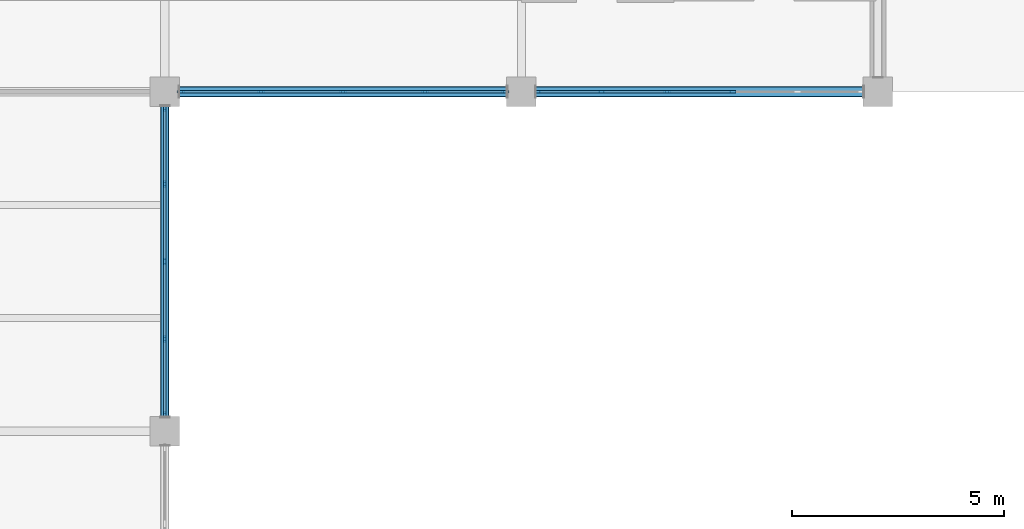
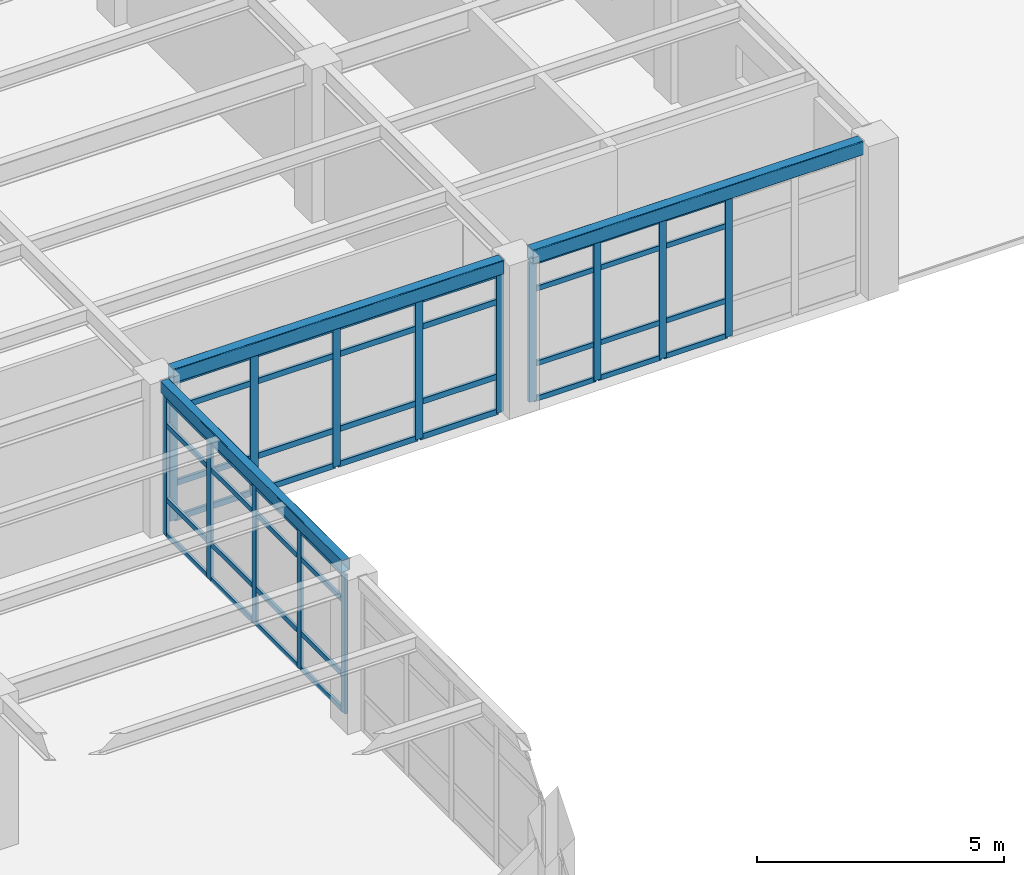
# One storey, part 40 of 138: 58 members, 3 beams, 3 elements without a shape of their own.
"""IFC4 building model written with IfcOpenShell, lengths in metres."""

import ifcopenshell
import ifcopenshell.guid

model = None  # the IFC model being written
_history = None  # IfcOwnerHistory: only IFC2X3 demands one
_inside = {}  # id of a spatial element -> (the spatial element, [elements in it])
_under = {}  # id of a project, library or spatial element -> (it, [spatial elements below it])
_declared = {}  # id of a project -> (the project, [libraries it declares])
_typed = {}  # id of a type object -> (the type object, [elements of that type])
_made_of = {}  # id of a material, layer set ... -> (it, [elements and type objects made of it])


def new_model(schema):
    """Start an empty IFC model of exactly this schema.

    Asked for "IFC4X3", IfcOpenShell would pick the latest addendum, in which some entities
    have other attributes; the version numbers below select the first issue.
    IFC2X3 requires an IfcOwnerHistory on every rooted entity: one is made here for all.
    """
    global model, _history
    if schema == "IFC4X3":
        model = ifcopenshell.file(schema_version=(4, 3, 0, 0))
    else:
        model = ifcopenshell.file(schema=schema)
    _inside.clear()
    _under.clear()
    _declared.clear()
    _typed.clear()
    _made_of.clear()
    _history = None
    if model.schema == "IFC2X3":
        org = make("IfcOrganization", Name="unknown")
        user = make(
            "IfcPersonAndOrganization",
            ThePerson=make("IfcPerson", FamilyName="unknown"),
            TheOrganization=org,
        )
        app = make(
            "IfcApplication",
            ApplicationDeveloper=org,
            Version="unknown",
            ApplicationFullName="unknown",
            ApplicationIdentifier="unknown",
        )
        _history = make(
            "IfcOwnerHistory",
            OwningUser=user,
            OwningApplication=app,
            ChangeAction="ADDED",
            CreationDate=0,
        )
    return model


def make(cls, **values):
    """One entity of the class cls with the attributes given. An attribute that is None is left unset."""
    return model.create_entity(
        cls, **{name: value for name, value in values.items() if value is not None}
    )


def rooted(cls, **values):
    """An entity with a GlobalId (a new one), such as an element, a storey or a relation."""
    return make(cls, GlobalId=ifcopenshell.guid.new(), OwnerHistory=_history, **values)


def si_unit(unit_type, name, prefix=None):
    """IfcSIUnit, for example si_unit("LENGTHUNIT", "METRE", prefix="MILLI")."""
    return make("IfcSIUnit", UnitType=unit_type, Prefix=prefix, Name=name)


def assignment(units):
    """IfcUnitAssignment: the units of a project."""
    return None if units is None else make("IfcUnitAssignment", Units=units)


def point(xyz):
    """IfcCartesianPoint."""
    return None if xyz is None else make("IfcCartesianPoint", Coordinates=xyz)


def direction(xyz):
    """IfcDirection."""
    return None if xyz is None else make("IfcDirection", DirectionRatios=xyz)


def frame(location, z_axis=None, x_axis=None):
    """IfcAxis2Placement3D, a coordinate frame: its origin and axes. An axis left out is left unset."""
    return make(
        "IfcAxis2Placement3D",
        Location=point(location),
        Axis=direction(z_axis),
        RefDirection=direction(x_axis),
    )


def frame_2d(location, x_axis=None):
    """IfcAxis2Placement2D, a coordinate frame in the plane: its origin and x axis."""
    return make(
        "IfcAxis2Placement2D", Location=point(location), RefDirection=direction(x_axis)
    )


def origin():
    """The frame at (0, 0, 0) with its axes left unset."""
    return frame((0.0, 0.0, 0.0))


def origin_2d():
    """The frame at (0, 0) in the plane with its x axis left unset."""
    return frame_2d((0.0, 0.0))


def place(relative_to, where):
    """IfcLocalPlacement: puts the frame where relative to a parent placement (None: the world)."""
    return make(
        "IfcLocalPlacement", PlacementRelTo=relative_to, RelativePlacement=where
    )


def context(
    kind, dimensions, precision=None, world=None, true_north=None, identifier=None
):
    """IfcGeometricRepresentationContext, for example the 3D "Model" context."""
    return make(
        "IfcGeometricRepresentationContext",
        ContextIdentifier=identifier,
        ContextType=kind,
        CoordinateSpaceDimension=dimensions,
        Precision=precision,
        WorldCoordinateSystem=world,
        TrueNorth=true_north,
    )


def subcontext(parent, identifier, kind, view, scale=None):
    """IfcGeometricRepresentationSubContext, for example "Body" below "Model"."""
    return make(
        "IfcGeometricRepresentationSubContext",
        ContextIdentifier=identifier,
        ContextType=kind,
        ParentContext=parent,
        TargetScale=scale,
        TargetView=view,
    )


def project(units=None, contexts=None):
    """IfcProject with its units and contexts."""
    return rooted(
        "IfcProject",
        Name="project",
        RepresentationContexts=contexts,
        UnitsInContext=assignment(units),
    )


def spatial(cls, under=None, at=None, **own):
    """A site, building, storey or space (cls), placed at a placement, below another one or the project."""
    s = rooted(cls, ObjectPlacement=at, **own)
    if under is not None:
        _under.setdefault(under.id(), (under, []))[1].append(s)
    return s


def profile(cls, at=None, kind="AREA", **sizes):
    """A parametric profile (cls). Its sizes go by their IFC names, for example OverallWidth=200.0."""
    return make(cls, ProfileType=kind, Position=at, **sizes)


def rectangle(**sizes):
    """IfcRectangleProfileDef."""
    return profile("IfcRectangleProfileDef", **sizes)


def hollow_rectangle(**sizes):
    """IfcRectangleHollowProfileDef."""
    return profile("IfcRectangleHollowProfileDef", **sizes)


def extrude(swept, where, along, depth):
    """IfcExtrudedAreaSolid: the profile swept, set in the frame where, extruded along a direction by depth."""
    return make(
        "IfcExtrudedAreaSolid",
        SweptArea=swept,
        Position=where,
        ExtrudedDirection=direction(along),
        Depth=depth,
    )


def shape(context_of_items, identifier, shape_type, items):
    """IfcShapeRepresentation: the items that make up one representation, for example the "Body"."""
    return make(
        "IfcShapeRepresentation",
        ContextOfItems=context_of_items,
        RepresentationIdentifier=identifier,
        RepresentationType=shape_type,
        Items=items,
    )


def material(Name=None, Category=None):
    """IfcMaterial."""
    return make("IfcMaterial", Name=Name, Category=Category)


def layer(
    of_material, thickness, ventilated=None, Name=None, Category=None, Priority=None
):
    """IfcMaterialLayer: one layer of a wall or slab, of a material (None: an air gap)."""
    return make(
        "IfcMaterialLayer",
        Material=of_material,
        LayerThickness=thickness,
        IsVentilated=ventilated,
        Name=Name,
        Category=Category,
        Priority=Priority,
    )


def layer_set(layers, Name=None):
    """IfcMaterialLayerSet."""
    return make("IfcMaterialLayerSet", MaterialLayers=layers, LayerSetName=Name)


def material_profile(
    of_material, cross_section, Name=None, Category=None, Priority=None
):
    """IfcMaterialProfile: a cross section and its material."""
    return make(
        "IfcMaterialProfile",
        Name=Name,
        Material=of_material,
        Profile=cross_section,
        Priority=Priority,
        Category=Category,
    )


def profile_set(profiles, Name=None, composite=None):
    """IfcMaterialProfileSet."""
    return make(
        "IfcMaterialProfileSet",
        Name=Name,
        MaterialProfiles=profiles,
        CompositeProfile=composite,
    )


def made_of(thing, what):
    """Note that an element or type object is made of a material, layer set ...; save() writes the relation."""
    if what is not None:
        _made_of.setdefault(what.id(), (what, []))[1].append(thing)
    return thing


def type_object(cls, material=None, **own):
    """A type object (cls), such as IfcWallType, which elements share."""
    return made_of(rooted(cls, **own), material)


def element(
    cls,
    number,
    at=None,
    inside=None,
    cuts=None,
    type_object=None,
    material=None,
    context=None,
    identifier="Body",
    shape_type=None,
    held_by="IfcProductDefinitionShape",
    body=None,
    shapes=None,
    **own,
):
    """One element of the class cls, such as IfcWall. Its Tag is "e" and its number.

    at: its placement. inside: the storey or other place that contains it. cuts: it is an
    opening in that element (IfcRelVoidsElement). A single representation is given by context,
    identifier, shape_type and body (its items); several are given by shapes. held_by: the class
    of the entity that holds the representations. save() writes the other relations.
    """
    e = rooted(cls, Tag="e%d" % number, ObjectPlacement=at, **own)
    if body is not None:
        shapes = [shape(context, identifier, shape_type, body)]
    if shapes is not None:
        e.Representation = make(held_by, Representations=shapes)
    if inside is not None:
        _inside.setdefault(inside.id(), (inside, []))[1].append(e)
    if cuts is not None:
        rooted(
            "IfcRelVoidsElement", RelatingBuildingElement=cuts, RelatedOpeningElement=e
        )
    if type_object is not None:
        _typed.setdefault(type_object.id(), (type_object, []))[1].append(e)
    return made_of(e, material)


def aggregate(whole, parts):
    """IfcRelAggregates: a whole, such as a stair, and the parts it consists of."""
    return rooted("IfcRelAggregates", RelatingObject=whole, RelatedObjects=parts)


def save(model, path):
    """Write the relations noted so far, then the file.

    IfcRelAggregates (storeys below a building ...), IfcRelContainedInSpatialStructure (elements
    in a storey), IfcRelDefinesByType, IfcRelAssociatesMaterial and IfcRelDeclares: one each for
    every whole, place, type object, material and project.
    """
    for whole, parts in _under.values():
        aggregate(whole, parts)
    for where, things in _inside.values():
        rooted(
            "IfcRelContainedInSpatialStructure",
            RelatedElements=things,
            RelatingStructure=where,
        )
    for kind, things in _typed.values():
        rooted("IfcRelDefinesByType", RelatedObjects=things, RelatingType=kind)
    for what, things in _made_of.values():
        rooted("IfcRelAssociatesMaterial", RelatedObjects=things, RelatingMaterial=what)
    for by, libraries in _declared.values():
        rooted("IfcRelDeclares", RelatingContext=by, RelatedDefinitions=libraries)
    model.write(path)


model = new_model("IFC4")

# Units and contexts
model_context = context("Model", 3, precision=1e-05, world=origin(), true_north=direction((0.0, 1.0)))
body_context = subcontext(model_context, "Body", "Model", "MODEL_VIEW")
ifc_project = project(units=[si_unit("LENGTHUNIT", "METRE"), si_unit("AREAUNIT", "SQUARE_METRE"), si_unit("VOLUMEUNIT", "CUBIC_METRE"), si_unit("PLANEANGLEUNIT", "RADIAN"), si_unit("MASSUNIT", "GRAM", prefix="KILO")], contexts=[model_context])

# Site, building, storey
site_placement = place(None, origin())
site = spatial("IfcSite", under=ifc_project, at=site_placement, CompositionType="ELEMENT")
building_placement = place(site_placement, origin())
building = spatial("IfcBuilding", under=site, at=building_placement, Name="Kranzveld Transit Interchange", CompositionType="ELEMENT")
storey_placement = place(building_placement, frame((0.0, 0.0, 5.43994140625)))
storey = spatial("IfcBuildingStorey", under=building, at=storey_placement, Name="L01", CompositionType="ELEMENT", Elevation=5.43994140625)

# Curtain wall, members
ifc_material_1 = material(Name="Bronze-anodised thermally broken aluminium", Category="aluminium")
ifc_layer_1 = layer(ifc_material_1, 0.1650390625)
ifc_layer_set_1 = layer_set([ifc_layer_1], Name="Bronze-anodised thermally broken aluminium")
curtain_wall_type_1 = type_object("IfcCurtainWallType", Name="Sunny Court Arcade Curtain Wall CW-2", PredefinedType="USERDEFINED", material=ifc_layer_set_1)
curtain_wall_1_placement = place(storey_placement, origin())
curtain_wall_1 = element("IfcCurtainWall", 1, at=curtain_wall_1_placement, inside=storey, type_object=curtain_wall_type_1, Name="L01 Curtain Wall 06/M-07/M", ObjectType="CURTAIN WALL", PredefinedType="USERDEFINED")
ifc_material_2 = material(Name="Bronze-anodised thermally broken aluminium", Category="aluminium")
ifc_material_profile_1 = material_profile(ifc_material_2, rectangle(XDim=0.06494140625, YDim=0.1650390625, at=origin_2d()), Name="ALU MULLION 65x165")
ifc_profile_set_1 = profile_set([ifc_material_profile_1], Name="Bronze-anodised thermally broken aluminium")
member_type_1 = type_object("IfcMemberType", Name="Curtain Wall Mullion 65x165 Alu", PredefinedType="MULLION", material=ifc_profile_set_1)
member_1_placement = place(storey_placement, frame((42.382568359375, 88.0, 0.0), z_axis=(0.0, 0.0, 1.0), x_axis=(0.0, 1.0, 0.0)))
member_1 = element("IfcMember", 2, at=member_1_placement, type_object=member_type_1, Name="CW-2 mullion 1", PredefinedType="MULLION", context=body_context, shape_type="SweptSolid", body=[
    extrude(rectangle(XDim=0.06494140625, YDim=0.1650390625, at=origin_2d()), origin(), (0.0, 0.0, 1.0), 3.449951171875),
])
member_2_placement = place(storey_placement, frame((43.889892578125, 88.0, 0.0), z_axis=(0.0, 0.0, 1.0), x_axis=(0.0, 1.0, 0.0)))
member_2 = element("IfcMember", 3, at=member_2_placement, type_object=member_type_1, Name="CW-2 mullion 2", PredefinedType="MULLION", context=body_context, shape_type="SweptSolid", body=[
    extrude(rectangle(XDim=0.06494140625, YDim=0.1650390625, at=origin_2d()), origin(), (0.0, 0.0, 1.0), 3.449951171875),
])
member_3_placement = place(storey_placement, frame((45.429931640625, 88.0, 0.0), z_axis=(0.0, 0.0, 1.0), x_axis=(0.0, 1.0, 0.0)))
member_3 = element("IfcMember", 4, at=member_3_placement, type_object=member_type_1, Name="CW-2 mullion 3", PredefinedType="MULLION", context=body_context, shape_type="SweptSolid", body=[
    extrude(rectangle(XDim=0.06494140625, YDim=0.1650390625, at=origin_2d()), origin(), (0.0, 0.0, 1.0), 3.449951171875),
])
member_4_placement = place(storey_placement, frame((46.969970703125, 88.0, 0.0), z_axis=(0.0, 0.0, 1.0), x_axis=(0.0, 1.0, 0.0)))
member_4 = element("IfcMember", 5, at=member_4_placement, type_object=member_type_1, Name="CW-2 mullion 4", PredefinedType="MULLION", context=body_context, shape_type="SweptSolid", body=[
    extrude(rectangle(XDim=0.06494140625, YDim=0.1650390625, at=origin_2d()), origin(), (0.0, 0.0, 1.0), 3.449951171875),
])

ifc_material_3 = material(Name="Bronze-anodised thermally broken aluminium", Category="aluminium")
ifc_layer_2 = layer(ifc_material_3, 0.155029296875)
ifc_layer_set_2 = layer_set([ifc_layer_2], Name="Bronze-anodised thermally broken aluminium")
curtain_wall_type_2 = type_object("IfcCurtainWallType", Name="Operations Courtyard Glazed Screen CW-6", PredefinedType="USERDEFINED", material=ifc_layer_set_2)
curtain_wall_2_placement = place(storey_placement, origin())
curtain_wall_2 = element("IfcCurtainWall", 6, at=curtain_wall_2_placement, inside=storey, type_object=curtain_wall_type_2, Name="L01 Curtain Wall 05/L-05/M", ObjectType="CURTAIN WALL", PredefinedType="USERDEFINED")
member_5_placement = place(storey_placement, frame((33.60009765625, 80.382568359375, 0.0), z_axis=(0.0, 0.0, 1.0), x_axis=(-1.0, 0.0, 0.0)))
member_5 = element("IfcMember", 7, at=member_5_placement, type_object=member_type_1, Name="CW-6 mullion 1", PredefinedType="MULLION", context=body_context, shape_type="SweptSolid", body=[
    extrude(rectangle(XDim=0.06494140625, YDim=0.1650390625, at=origin_2d()), origin(), (0.0, 0.0, 1.0), 3.442138671875),
])
member_6_placement = place(storey_placement, frame((33.60009765625, 82.175048828125, 0.0), z_axis=(0.0, 0.0, 1.0), x_axis=(-1.0, 0.0, 0.0)))
member_6 = element("IfcMember", 8, at=member_6_placement, type_object=member_type_1, Name="CW-6 mullion 2", PredefinedType="MULLION", context=body_context, shape_type="SweptSolid", body=[
    extrude(rectangle(XDim=0.06494140625, YDim=0.1650390625, at=origin_2d()), origin(), (0.0, 0.0, 1.0), 3.442138671875),
])
member_7_placement = place(storey_placement, frame((33.60009765625, 84.0, 0.0), z_axis=(0.0, 0.0, 1.0), x_axis=(-1.0, 0.0, 0.0)))
member_7 = element("IfcMember", 9, at=member_7_placement, type_object=member_type_1, Name="CW-6 mullion 3", PredefinedType="MULLION", context=body_context, shape_type="SweptSolid", body=[
    extrude(rectangle(XDim=0.06494140625, YDim=0.1650390625, at=origin_2d()), origin(), (0.0, 0.0, 1.0), 3.442138671875),
])
member_8_placement = place(storey_placement, frame((33.60009765625, 85.824951171875, 0.0), z_axis=(0.0, 0.0, 1.0), x_axis=(-1.0, 0.0, 0.0)))
member_8 = element("IfcMember", 10, at=member_8_placement, type_object=member_type_1, Name="CW-6 mullion 4", PredefinedType="MULLION", context=body_context, shape_type="SweptSolid", body=[
    extrude(rectangle(XDim=0.06494140625, YDim=0.1650390625, at=origin_2d()), origin(), (0.0, 0.0, 1.0), 3.442138671875),
])
member_9_placement = place(storey_placement, frame((33.60009765625, 87.617431640625, 0.0), z_axis=(0.0, 0.0, 1.0), x_axis=(-1.0, 0.0, 0.0)))
member_9 = element("IfcMember", 11, at=member_9_placement, type_object=member_type_1, Name="CW-6 mullion 5", PredefinedType="MULLION", context=body_context, shape_type="SweptSolid", body=[
    extrude(rectangle(XDim=0.06494140625, YDim=0.1650390625, at=origin_2d()), origin(), (0.0, 0.0, 1.0), 3.442138671875),
])

ifc_material_4 = material(Name="Bronze-anodised thermally broken aluminium", Category="aluminium")
ifc_layer_3 = layer(ifc_material_4, 0.179931640625)
ifc_layer_set_3 = layer_set([ifc_layer_3], Name="Bronze-anodised thermally broken aluminium")
curtain_wall_type_3 = type_object("IfcCurtainWallType", Name="Concourse Unitised Curtain Wall CW-1", PredefinedType="USERDEFINED", material=ifc_layer_set_3)
curtain_wall_3_placement = place(storey_placement, origin())
curtain_wall_3 = element("IfcCurtainWall", 12, at=curtain_wall_3_placement, inside=storey, type_object=curtain_wall_type_3, Name="L01 Curtain Wall 05/M-06/M", ObjectType="CURTAIN WALL", PredefinedType="USERDEFINED")
ifc_material_5 = material(Name="Bronze-anodised thermally broken aluminium", Category="aluminium")
ifc_material_profile_2 = material_profile(ifc_material_5, rectangle(XDim=0.06494140625, YDim=0.179931640625, at=origin_2d()), Name="ALU MULLION 65x180")
ifc_profile_set_2 = profile_set([ifc_material_profile_2], Name="Bronze-anodised thermally broken aluminium")
member_type_2 = type_object("IfcMemberType", Name="Curtain Wall Mullion 65x180 Alu", PredefinedType="MULLION", material=ifc_profile_set_2)
member_10_placement = place(storey_placement, frame((33.982421875, 88.0, 0.0), z_axis=(0.0, 0.0, 1.0), x_axis=(0.0, 1.0, 0.0)))
member_10 = element("IfcMember", 13, at=member_10_placement, type_object=member_type_2, Name="CW-1 mullion 1", PredefinedType="MULLION", context=body_context, shape_type="SweptSolid", body=[
    extrude(rectangle(XDim=0.06494140625, YDim=0.179931640625, at=origin_2d()), origin(), (0.0, 0.0, 1.0), 3.449951171875),
])
member_11_placement = place(storey_placement, frame((35.875, 88.0, 0.0), z_axis=(0.0, 0.0, 1.0), x_axis=(0.0, 1.0, 0.0)))
member_11 = element("IfcMember", 14, at=member_11_placement, type_object=member_type_2, Name="CW-1 mullion 2", PredefinedType="MULLION", context=body_context, shape_type="SweptSolid", body=[
    extrude(rectangle(XDim=0.06494140625, YDim=0.179931640625, at=origin_2d()), origin(), (0.0, 0.0, 1.0), 3.449951171875),
])
member_12_placement = place(storey_placement, frame((37.800048828125, 88.0, 0.0), z_axis=(0.0, 0.0, 1.0), x_axis=(0.0, 1.0, 0.0)))
member_12 = element("IfcMember", 15, at=member_12_placement, type_object=member_type_2, Name="CW-1 mullion 3", PredefinedType="MULLION", context=body_context, shape_type="SweptSolid", body=[
    extrude(rectangle(XDim=0.06494140625, YDim=0.179931640625, at=origin_2d()), origin(), (0.0, 0.0, 1.0), 3.449951171875),
])
member_13_placement = place(storey_placement, frame((39.72509765625, 88.0, 0.0), z_axis=(0.0, 0.0, 1.0), x_axis=(0.0, 1.0, 0.0)))
member_13 = element("IfcMember", 16, at=member_13_placement, type_object=member_type_2, Name="CW-1 mullion 4", PredefinedType="MULLION", context=body_context, shape_type="SweptSolid", body=[
    extrude(rectangle(XDim=0.06494140625, YDim=0.179931640625, at=origin_2d()), origin(), (0.0, 0.0, 1.0), 3.449951171875),
])
member_14_placement = place(storey_placement, frame((41.617431640625, 88.0, 0.0), z_axis=(0.0, 0.0, 1.0), x_axis=(0.0, 1.0, 0.0)))
member_14 = element("IfcMember", 17, at=member_14_placement, type_object=member_type_2, Name="CW-1 mullion 5", PredefinedType="MULLION", context=body_context, shape_type="SweptSolid", body=[
    extrude(rectangle(XDim=0.06494140625, YDim=0.179931640625, at=origin_2d()), origin(), (0.0, 0.0, 1.0), 3.449951171875),
])

# Member
ifc_material_6 = material(Name="Bronze-anodised thermally broken aluminium", Category="aluminium")
ifc_material_profile_3 = material_profile(ifc_material_6, rectangle(XDim=0.06005859375, YDim=0.125, at=origin_2d()), Name="ALU TRANSOM 60x125")
ifc_profile_set_3 = profile_set([ifc_material_profile_3], Name="Bronze-anodised thermally broken aluminium")
member_type_3 = type_object("IfcMemberType", Name="Curtain Wall Transom 60x125 Alu", PredefinedType="USERDEFINED", material=ifc_profile_set_3)
member_15_placement = place(storey_placement, frame((42.4150390625, 88.0, 0.030029296875), z_axis=(1.0, 0.0, 0.0), x_axis=(0.0, 1.0, 0.0)))
member_15 = element("IfcMember", 18, at=member_15_placement, type_object=member_type_3, Name="CW-2 transom 1.1", ObjectType="TRANSOM", PredefinedType="USERDEFINED", context=body_context, shape_type="SweptSolid", body=[
    extrude(rectangle(XDim=0.06005859375, YDim=0.125, at=origin_2d()), origin(), (0.0, 0.0, 1.0), 1.4423828125),
])

member_16_placement = place(storey_placement, frame((42.4150390625, 88.0, 0.900146484375), z_axis=(1.0, 0.0, 0.0), x_axis=(0.0, 1.0, 0.0)))
member_16 = element("IfcMember", 19, at=member_16_placement, type_object=member_type_3, Name="CW-2 transom 1.2", ObjectType="TRANSOM", PredefinedType="USERDEFINED", context=body_context, shape_type="SweptSolid", body=[
    extrude(rectangle(XDim=0.06005859375, YDim=0.125, at=origin_2d()), origin(), (0.0, 0.0, 1.0), 1.4423828125),
])

member_17_placement = place(storey_placement, frame((42.4150390625, 88.0, 2.75), z_axis=(1.0, 0.0, 0.0), x_axis=(0.0, 1.0, 0.0)))
member_17 = element("IfcMember", 20, at=member_17_placement, type_object=member_type_3, Name="CW-2 transom 1.3", ObjectType="TRANSOM", PredefinedType="USERDEFINED", context=body_context, shape_type="SweptSolid", body=[
    extrude(rectangle(XDim=0.06005859375, YDim=0.125, at=origin_2d()), origin(), (0.0, 0.0, 1.0), 1.4423828125),
])

member_18_placement = place(storey_placement, frame((42.4150390625, 88.0, 3.420166015625), z_axis=(1.0, 0.0, 0.0), x_axis=(0.0, 1.0, 0.0)))
member_18 = element("IfcMember", 21, at=member_18_placement, type_object=member_type_3, Name="CW-2 transom 1.4", ObjectType="TRANSOM", PredefinedType="USERDEFINED", context=body_context, shape_type="SweptSolid", body=[
    extrude(rectangle(XDim=0.06005859375, YDim=0.125, at=origin_2d()), origin(), (0.0, 0.0, 1.0), 1.4423828125),
])

member_19_placement = place(storey_placement, frame((43.922607421875, 88.0, 0.030029296875), z_axis=(1.0, 0.0, 0.0), x_axis=(0.0, 1.0, 0.0)))
member_19 = element("IfcMember", 22, at=member_19_placement, type_object=member_type_3, Name="CW-2 transom 2.1", ObjectType="TRANSOM", PredefinedType="USERDEFINED", context=body_context, shape_type="SweptSolid", body=[
    extrude(rectangle(XDim=0.06005859375, YDim=0.125, at=origin_2d()), origin(), (0.0, 0.0, 1.0), 1.474853515625),
])

member_20_placement = place(storey_placement, frame((43.922607421875, 88.0, 0.900146484375), z_axis=(1.0, 0.0, 0.0), x_axis=(0.0, 1.0, 0.0)))
member_20 = element("IfcMember", 23, at=member_20_placement, type_object=member_type_3, Name="CW-2 transom 2.2", ObjectType="TRANSOM", PredefinedType="USERDEFINED", context=body_context, shape_type="SweptSolid", body=[
    extrude(rectangle(XDim=0.06005859375, YDim=0.125, at=origin_2d()), origin(), (0.0, 0.0, 1.0), 1.474853515625),
])

member_21_placement = place(storey_placement, frame((43.922607421875, 88.0, 2.75), z_axis=(1.0, 0.0, 0.0), x_axis=(0.0, 1.0, 0.0)))
member_21 = element("IfcMember", 24, at=member_21_placement, type_object=member_type_3, Name="CW-2 transom 2.3", ObjectType="TRANSOM", PredefinedType="USERDEFINED", context=body_context, shape_type="SweptSolid", body=[
    extrude(rectangle(XDim=0.06005859375, YDim=0.125, at=origin_2d()), origin(), (0.0, 0.0, 1.0), 1.474853515625),
])

member_22_placement = place(storey_placement, frame((43.922607421875, 88.0, 3.420166015625), z_axis=(1.0, 0.0, 0.0), x_axis=(0.0, 1.0, 0.0)))
member_22 = element("IfcMember", 25, at=member_22_placement, type_object=member_type_3, Name="CW-2 transom 2.4", ObjectType="TRANSOM", PredefinedType="USERDEFINED", context=body_context, shape_type="SweptSolid", body=[
    extrude(rectangle(XDim=0.06005859375, YDim=0.125, at=origin_2d()), origin(), (0.0, 0.0, 1.0), 1.474853515625),
])

member_23_placement = place(storey_placement, frame((45.46240234375, 88.0, 0.030029296875), z_axis=(1.0, 0.0, 0.0), x_axis=(0.0, 1.0, 0.0)))
member_23 = element("IfcMember", 26, at=member_23_placement, type_object=member_type_3, Name="CW-2 transom 3.1", ObjectType="TRANSOM", PredefinedType="USERDEFINED", context=body_context, shape_type="SweptSolid", body=[
    extrude(rectangle(XDim=0.06005859375, YDim=0.125, at=origin_2d()), origin(), (0.0, 0.0, 1.0), 1.47509765625),
])

member_24_placement = place(storey_placement, frame((45.46240234375, 88.0, 0.900146484375), z_axis=(1.0, 0.0, 0.0), x_axis=(0.0, 1.0, 0.0)))
member_24 = element("IfcMember", 27, at=member_24_placement, type_object=member_type_3, Name="CW-2 transom 3.2", ObjectType="TRANSOM", PredefinedType="USERDEFINED", context=body_context, shape_type="SweptSolid", body=[
    extrude(rectangle(XDim=0.06005859375, YDim=0.125, at=origin_2d()), origin(), (0.0, 0.0, 1.0), 1.47509765625),
])

member_25_placement = place(storey_placement, frame((45.46240234375, 88.0, 2.75), z_axis=(1.0, 0.0, 0.0), x_axis=(0.0, 1.0, 0.0)))
member_25 = element("IfcMember", 28, at=member_25_placement, type_object=member_type_3, Name="CW-2 transom 3.3", ObjectType="TRANSOM", PredefinedType="USERDEFINED", context=body_context, shape_type="SweptSolid", body=[
    extrude(rectangle(XDim=0.06005859375, YDim=0.125, at=origin_2d()), origin(), (0.0, 0.0, 1.0), 1.47509765625),
])

member_26_placement = place(storey_placement, frame((45.46240234375, 88.0, 3.420166015625), z_axis=(1.0, 0.0, 0.0), x_axis=(0.0, 1.0, 0.0)))
member_26 = element("IfcMember", 29, at=member_26_placement, type_object=member_type_3, Name="CW-2 transom 3.4", ObjectType="TRANSOM", PredefinedType="USERDEFINED", context=body_context, shape_type="SweptSolid", body=[
    extrude(rectangle(XDim=0.06005859375, YDim=0.125, at=origin_2d()), origin(), (0.0, 0.0, 1.0), 1.47509765625),
])

aggregate(curtain_wall_1, [member_1, member_2, member_3, member_4, member_15, member_16, member_17, member_18, member_19, member_20, member_21, member_22, member_23, member_24, member_25, member_26])

member_27_placement = place(storey_placement, frame((33.60009765625, 80.4150390625, 0.030029296875), z_axis=(0.0, 1.0, 0.0), x_axis=(-1.0, 0.0, 0.0)))
member_27 = element("IfcMember", 30, at=member_27_placement, type_object=member_type_3, Name="CW-6 transom 1.1", ObjectType="TRANSOM", PredefinedType="USERDEFINED", context=body_context, shape_type="SweptSolid", body=[
    extrude(rectangle(XDim=0.06005859375, YDim=0.125, at=origin_2d()), origin(), (0.0, 0.0, 1.0), 1.7275390625),
])

member_28_placement = place(storey_placement, frame((33.60009765625, 80.4150390625, 0.900146484375), z_axis=(0.0, 1.0, 0.0), x_axis=(-1.0, 0.0, 0.0)))
member_28 = element("IfcMember", 31, at=member_28_placement, type_object=member_type_3, Name="CW-6 transom 1.2", ObjectType="TRANSOM", PredefinedType="USERDEFINED", context=body_context, shape_type="SweptSolid", body=[
    extrude(rectangle(XDim=0.06005859375, YDim=0.125, at=origin_2d()), origin(), (0.0, 0.0, 1.0), 1.7275390625),
])

member_29_placement = place(storey_placement, frame((33.60009765625, 80.4150390625, 2.741943359375), z_axis=(0.0, 1.0, 0.0), x_axis=(-1.0, 0.0, 0.0)))
member_29 = element("IfcMember", 32, at=member_29_placement, type_object=member_type_3, Name="CW-6 transom 1.3", ObjectType="TRANSOM", PredefinedType="USERDEFINED", context=body_context, shape_type="SweptSolid", body=[
    extrude(rectangle(XDim=0.06005859375, YDim=0.125, at=origin_2d()), origin(), (0.0, 0.0, 1.0), 1.7275390625),
])

member_30_placement = place(storey_placement, frame((33.60009765625, 80.4150390625, 3.412109375), z_axis=(0.0, 1.0, 0.0), x_axis=(-1.0, 0.0, 0.0)))
member_30 = element("IfcMember", 33, at=member_30_placement, type_object=member_type_3, Name="CW-6 transom 1.4", ObjectType="TRANSOM", PredefinedType="USERDEFINED", context=body_context, shape_type="SweptSolid", body=[
    extrude(rectangle(XDim=0.06005859375, YDim=0.125, at=origin_2d()), origin(), (0.0, 0.0, 1.0), 1.7275390625),
])

member_31_placement = place(storey_placement, frame((33.60009765625, 82.20751953125, 0.030029296875), z_axis=(0.0, 1.0, 0.0), x_axis=(-1.0, 0.0, 0.0)))
member_31 = element("IfcMember", 34, at=member_31_placement, type_object=member_type_3, Name="CW-6 transom 2.1", ObjectType="TRANSOM", PredefinedType="USERDEFINED", context=body_context, shape_type="SweptSolid", body=[
    extrude(rectangle(XDim=0.06005859375, YDim=0.125, at=origin_2d()), origin(), (0.0, 0.0, 1.0), 1.760009765625),
])

member_32_placement = place(storey_placement, frame((33.60009765625, 82.20751953125, 0.900146484375), z_axis=(0.0, 1.0, 0.0), x_axis=(-1.0, 0.0, 0.0)))
member_32 = element("IfcMember", 35, at=member_32_placement, type_object=member_type_3, Name="CW-6 transom 2.2", ObjectType="TRANSOM", PredefinedType="USERDEFINED", context=body_context, shape_type="SweptSolid", body=[
    extrude(rectangle(XDim=0.06005859375, YDim=0.125, at=origin_2d()), origin(), (0.0, 0.0, 1.0), 1.760009765625),
])

member_33_placement = place(storey_placement, frame((33.60009765625, 82.20751953125, 2.741943359375), z_axis=(0.0, 1.0, 0.0), x_axis=(-1.0, 0.0, 0.0)))
member_33 = element("IfcMember", 36, at=member_33_placement, type_object=member_type_3, Name="CW-6 transom 2.3", ObjectType="TRANSOM", PredefinedType="USERDEFINED", context=body_context, shape_type="SweptSolid", body=[
    extrude(rectangle(XDim=0.06005859375, YDim=0.125, at=origin_2d()), origin(), (0.0, 0.0, 1.0), 1.760009765625),
])

member_34_placement = place(storey_placement, frame((33.60009765625, 82.20751953125, 3.412109375), z_axis=(0.0, 1.0, 0.0), x_axis=(-1.0, 0.0, 0.0)))
member_34 = element("IfcMember", 37, at=member_34_placement, type_object=member_type_3, Name="CW-6 transom 2.4", ObjectType="TRANSOM", PredefinedType="USERDEFINED", context=body_context, shape_type="SweptSolid", body=[
    extrude(rectangle(XDim=0.06005859375, YDim=0.125, at=origin_2d()), origin(), (0.0, 0.0, 1.0), 1.760009765625),
])

member_35_placement = place(storey_placement, frame((33.60009765625, 84.032470703125, 0.030029296875), z_axis=(0.0, 1.0, 0.0), x_axis=(-1.0, 0.0, 0.0)))
member_35 = element("IfcMember", 38, at=member_35_placement, type_object=member_type_3, Name="CW-6 transom 3.1", ObjectType="TRANSOM", PredefinedType="USERDEFINED", context=body_context, shape_type="SweptSolid", body=[
    extrude(rectangle(XDim=0.06005859375, YDim=0.125, at=origin_2d()), origin(), (0.0, 0.0, 1.0), 1.760009765625),
])

member_36_placement = place(storey_placement, frame((33.60009765625, 84.032470703125, 0.900146484375), z_axis=(0.0, 1.0, 0.0), x_axis=(-1.0, 0.0, 0.0)))
member_36 = element("IfcMember", 39, at=member_36_placement, type_object=member_type_3, Name="CW-6 transom 3.2", ObjectType="TRANSOM", PredefinedType="USERDEFINED", context=body_context, shape_type="SweptSolid", body=[
    extrude(rectangle(XDim=0.06005859375, YDim=0.125, at=origin_2d()), origin(), (0.0, 0.0, 1.0), 1.760009765625),
])

member_37_placement = place(storey_placement, frame((33.60009765625, 84.032470703125, 2.741943359375), z_axis=(0.0, 1.0, 0.0), x_axis=(-1.0, 0.0, 0.0)))
member_37 = element("IfcMember", 40, at=member_37_placement, type_object=member_type_3, Name="CW-6 transom 3.3", ObjectType="TRANSOM", PredefinedType="USERDEFINED", context=body_context, shape_type="SweptSolid", body=[
    extrude(rectangle(XDim=0.06005859375, YDim=0.125, at=origin_2d()), origin(), (0.0, 0.0, 1.0), 1.760009765625),
])

member_38_placement = place(storey_placement, frame((33.60009765625, 84.032470703125, 3.412109375), z_axis=(0.0, 1.0, 0.0), x_axis=(-1.0, 0.0, 0.0)))
member_38 = element("IfcMember", 41, at=member_38_placement, type_object=member_type_3, Name="CW-6 transom 3.4", ObjectType="TRANSOM", PredefinedType="USERDEFINED", context=body_context, shape_type="SweptSolid", body=[
    extrude(rectangle(XDim=0.06005859375, YDim=0.125, at=origin_2d()), origin(), (0.0, 0.0, 1.0), 1.760009765625),
])

member_39_placement = place(storey_placement, frame((33.60009765625, 85.857421875, 0.030029296875), z_axis=(0.0, 1.0, 0.0), x_axis=(-1.0, 0.0, 0.0)))
member_39 = element("IfcMember", 42, at=member_39_placement, type_object=member_type_3, Name="CW-6 transom 4.1", ObjectType="TRANSOM", PredefinedType="USERDEFINED", context=body_context, shape_type="SweptSolid", body=[
    extrude(rectangle(XDim=0.06005859375, YDim=0.125, at=origin_2d()), origin(), (0.0, 0.0, 1.0), 1.7275390625),
])

member_40_placement = place(storey_placement, frame((33.60009765625, 85.857421875, 0.900146484375), z_axis=(0.0, 1.0, 0.0), x_axis=(-1.0, 0.0, 0.0)))
member_40 = element("IfcMember", 43, at=member_40_placement, type_object=member_type_3, Name="CW-6 transom 4.2", ObjectType="TRANSOM", PredefinedType="USERDEFINED", context=body_context, shape_type="SweptSolid", body=[
    extrude(rectangle(XDim=0.06005859375, YDim=0.125, at=origin_2d()), origin(), (0.0, 0.0, 1.0), 1.7275390625),
])

member_41_placement = place(storey_placement, frame((33.60009765625, 85.857421875, 2.741943359375), z_axis=(0.0, 1.0, 0.0), x_axis=(-1.0, 0.0, 0.0)))
member_41 = element("IfcMember", 44, at=member_41_placement, type_object=member_type_3, Name="CW-6 transom 4.3", ObjectType="TRANSOM", PredefinedType="USERDEFINED", context=body_context, shape_type="SweptSolid", body=[
    extrude(rectangle(XDim=0.06005859375, YDim=0.125, at=origin_2d()), origin(), (0.0, 0.0, 1.0), 1.7275390625),
])

member_42_placement = place(storey_placement, frame((33.60009765625, 85.857421875, 3.412109375), z_axis=(0.0, 1.0, 0.0), x_axis=(-1.0, 0.0, 0.0)))
member_42 = element("IfcMember", 45, at=member_42_placement, type_object=member_type_3, Name="CW-6 transom 4.4", ObjectType="TRANSOM", PredefinedType="USERDEFINED", context=body_context, shape_type="SweptSolid", body=[
    extrude(rectangle(XDim=0.06005859375, YDim=0.125, at=origin_2d()), origin(), (0.0, 0.0, 1.0), 1.7275390625),
])

aggregate(curtain_wall_2, [member_5, member_6, member_7, member_8, member_9, member_27, member_28, member_29, member_30, member_31, member_32, member_33, member_34, member_35, member_36, member_37, member_38, member_39, member_40, member_41, member_42])

ifc_material_7 = material(Name="Bronze-anodised thermally broken aluminium", Category="aluminium")
ifc_material_profile_4 = material_profile(ifc_material_7, rectangle(XDim=0.06494140625, YDim=0.139892578125, at=origin_2d()), Name="ALU TRANSOM 65x140")
ifc_profile_set_4 = profile_set([ifc_material_profile_4], Name="Bronze-anodised thermally broken aluminium")
member_type_4 = type_object("IfcMemberType", Name="Curtain Wall Transom 65x140 Alu", PredefinedType="USERDEFINED", material=ifc_profile_set_4)
member_43_placement = place(storey_placement, frame((34.014892578125, 88.0, 0.032470703125), z_axis=(1.0, 0.0, 0.0), x_axis=(0.0, 1.0, 0.0)))
member_43 = element("IfcMember", 46, at=member_43_placement, type_object=member_type_4, Name="CW-1 transom 1.1", ObjectType="TRANSOM", PredefinedType="USERDEFINED", context=body_context, shape_type="SweptSolid", body=[
    extrude(rectangle(XDim=0.06494140625, YDim=0.139892578125, at=origin_2d()), origin(), (0.0, 0.0, 1.0), 1.82763671875),
])

member_44_placement = place(storey_placement, frame((34.014892578125, 88.0, 0.900146484375), z_axis=(1.0, 0.0, 0.0), x_axis=(0.0, 1.0, 0.0)))
member_44 = element("IfcMember", 47, at=member_44_placement, type_object=member_type_4, Name="CW-1 transom 1.2", ObjectType="TRANSOM", PredefinedType="USERDEFINED", context=body_context, shape_type="SweptSolid", body=[
    extrude(rectangle(XDim=0.06494140625, YDim=0.139892578125, at=origin_2d()), origin(), (0.0, 0.0, 1.0), 1.82763671875),
])

member_45_placement = place(storey_placement, frame((34.014892578125, 88.0, 2.75), z_axis=(1.0, 0.0, 0.0), x_axis=(0.0, 1.0, 0.0)))
member_45 = element("IfcMember", 48, at=member_45_placement, type_object=member_type_4, Name="CW-1 transom 1.3", ObjectType="TRANSOM", PredefinedType="USERDEFINED", context=body_context, shape_type="SweptSolid", body=[
    extrude(rectangle(XDim=0.06494140625, YDim=0.139892578125, at=origin_2d()), origin(), (0.0, 0.0, 1.0), 1.82763671875),
])

member_46_placement = place(storey_placement, frame((34.014892578125, 88.0, 3.41748046875), z_axis=(1.0, 0.0, 0.0), x_axis=(0.0, 1.0, 0.0)))
member_46 = element("IfcMember", 49, at=member_46_placement, type_object=member_type_4, Name="CW-1 transom 1.4", ObjectType="TRANSOM", PredefinedType="USERDEFINED", context=body_context, shape_type="SweptSolid", body=[
    extrude(rectangle(XDim=0.06494140625, YDim=0.139892578125, at=origin_2d()), origin(), (0.0, 0.0, 1.0), 1.82763671875),
])

member_47_placement = place(storey_placement, frame((35.907470703125, 88.0, 0.032470703125), z_axis=(1.0, 0.0, 0.0), x_axis=(0.0, 1.0, 0.0)))
member_47 = element("IfcMember", 50, at=member_47_placement, type_object=member_type_4, Name="CW-1 transom 2.1", ObjectType="TRANSOM", PredefinedType="USERDEFINED", context=body_context, shape_type="SweptSolid", body=[
    extrude(rectangle(XDim=0.06494140625, YDim=0.139892578125, at=origin_2d()), origin(), (0.0, 0.0, 1.0), 1.860107421875),
])

member_48_placement = place(storey_placement, frame((35.907470703125, 88.0, 0.900146484375), z_axis=(1.0, 0.0, 0.0), x_axis=(0.0, 1.0, 0.0)))
member_48 = element("IfcMember", 51, at=member_48_placement, type_object=member_type_4, Name="CW-1 transom 2.2", ObjectType="TRANSOM", PredefinedType="USERDEFINED", context=body_context, shape_type="SweptSolid", body=[
    extrude(rectangle(XDim=0.06494140625, YDim=0.139892578125, at=origin_2d()), origin(), (0.0, 0.0, 1.0), 1.860107421875),
])

member_49_placement = place(storey_placement, frame((35.907470703125, 88.0, 2.75), z_axis=(1.0, 0.0, 0.0), x_axis=(0.0, 1.0, 0.0)))
member_49 = element("IfcMember", 52, at=member_49_placement, type_object=member_type_4, Name="CW-1 transom 2.3", ObjectType="TRANSOM", PredefinedType="USERDEFINED", context=body_context, shape_type="SweptSolid", body=[
    extrude(rectangle(XDim=0.06494140625, YDim=0.139892578125, at=origin_2d()), origin(), (0.0, 0.0, 1.0), 1.860107421875),
])

member_50_placement = place(storey_placement, frame((35.907470703125, 88.0, 3.41748046875), z_axis=(1.0, 0.0, 0.0), x_axis=(0.0, 1.0, 0.0)))
member_50 = element("IfcMember", 53, at=member_50_placement, type_object=member_type_4, Name="CW-1 transom 2.4", ObjectType="TRANSOM", PredefinedType="USERDEFINED", context=body_context, shape_type="SweptSolid", body=[
    extrude(rectangle(XDim=0.06494140625, YDim=0.139892578125, at=origin_2d()), origin(), (0.0, 0.0, 1.0), 1.860107421875),
])

member_51_placement = place(storey_placement, frame((37.83251953125, 88.0, 0.032470703125), z_axis=(1.0, 0.0, 0.0), x_axis=(0.0, 1.0, 0.0)))
member_51 = element("IfcMember", 54, at=member_51_placement, type_object=member_type_4, Name="CW-1 transom 3.1", ObjectType="TRANSOM", PredefinedType="USERDEFINED", context=body_context, shape_type="SweptSolid", body=[
    extrude(rectangle(XDim=0.06494140625, YDim=0.139892578125, at=origin_2d()), origin(), (0.0, 0.0, 1.0), 1.85986328125),
])

member_52_placement = place(storey_placement, frame((37.83251953125, 88.0, 0.900146484375), z_axis=(1.0, 0.0, 0.0), x_axis=(0.0, 1.0, 0.0)))
member_52 = element("IfcMember", 55, at=member_52_placement, type_object=member_type_4, Name="CW-1 transom 3.2", ObjectType="TRANSOM", PredefinedType="USERDEFINED", context=body_context, shape_type="SweptSolid", body=[
    extrude(rectangle(XDim=0.06494140625, YDim=0.139892578125, at=origin_2d()), origin(), (0.0, 0.0, 1.0), 1.85986328125),
])

member_53_placement = place(storey_placement, frame((37.83251953125, 88.0, 2.75), z_axis=(1.0, 0.0, 0.0), x_axis=(0.0, 1.0, 0.0)))
member_53 = element("IfcMember", 56, at=member_53_placement, type_object=member_type_4, Name="CW-1 transom 3.3", ObjectType="TRANSOM", PredefinedType="USERDEFINED", context=body_context, shape_type="SweptSolid", body=[
    extrude(rectangle(XDim=0.06494140625, YDim=0.139892578125, at=origin_2d()), origin(), (0.0, 0.0, 1.0), 1.85986328125),
])

member_54_placement = place(storey_placement, frame((37.83251953125, 88.0, 3.41748046875), z_axis=(1.0, 0.0, 0.0), x_axis=(0.0, 1.0, 0.0)))
member_54 = element("IfcMember", 57, at=member_54_placement, type_object=member_type_4, Name="CW-1 transom 3.4", ObjectType="TRANSOM", PredefinedType="USERDEFINED", context=body_context, shape_type="SweptSolid", body=[
    extrude(rectangle(XDim=0.06494140625, YDim=0.139892578125, at=origin_2d()), origin(), (0.0, 0.0, 1.0), 1.85986328125),
])

member_55_placement = place(storey_placement, frame((39.757568359375, 88.0, 0.032470703125), z_axis=(1.0, 0.0, 0.0), x_axis=(0.0, 1.0, 0.0)))
member_55 = element("IfcMember", 58, at=member_55_placement, type_object=member_type_4, Name="CW-1 transom 4.1", ObjectType="TRANSOM", PredefinedType="USERDEFINED", context=body_context, shape_type="SweptSolid", body=[
    extrude(rectangle(XDim=0.06494140625, YDim=0.139892578125, at=origin_2d()), origin(), (0.0, 0.0, 1.0), 1.827392578125),
])

member_56_placement = place(storey_placement, frame((39.757568359375, 88.0, 0.900146484375), z_axis=(1.0, 0.0, 0.0), x_axis=(0.0, 1.0, 0.0)))
member_56 = element("IfcMember", 59, at=member_56_placement, type_object=member_type_4, Name="CW-1 transom 4.2", ObjectType="TRANSOM", PredefinedType="USERDEFINED", context=body_context, shape_type="SweptSolid", body=[
    extrude(rectangle(XDim=0.06494140625, YDim=0.139892578125, at=origin_2d()), origin(), (0.0, 0.0, 1.0), 1.827392578125),
])

member_57_placement = place(storey_placement, frame((39.757568359375, 88.0, 2.75), z_axis=(1.0, 0.0, 0.0), x_axis=(0.0, 1.0, 0.0)))
member_57 = element("IfcMember", 60, at=member_57_placement, type_object=member_type_4, Name="CW-1 transom 4.3", ObjectType="TRANSOM", PredefinedType="USERDEFINED", context=body_context, shape_type="SweptSolid", body=[
    extrude(rectangle(XDim=0.06494140625, YDim=0.139892578125, at=origin_2d()), origin(), (0.0, 0.0, 1.0), 1.827392578125),
])

member_58_placement = place(storey_placement, frame((39.757568359375, 88.0, 3.41748046875), z_axis=(1.0, 0.0, 0.0), x_axis=(0.0, 1.0, 0.0)))
member_58 = element("IfcMember", 61, at=member_58_placement, type_object=member_type_4, Name="CW-1 transom 4.4", ObjectType="TRANSOM", PredefinedType="USERDEFINED", context=body_context, shape_type="SweptSolid", body=[
    extrude(rectangle(XDim=0.06494140625, YDim=0.139892578125, at=origin_2d()), origin(), (0.0, 0.0, 1.0), 1.827392578125),
])

aggregate(curtain_wall_3, [member_10, member_11, member_12, member_13, member_14, member_43, member_44, member_45, member_46, member_47, member_48, member_49, member_50, member_51, member_52, member_53, member_54, member_55, member_56, member_57, member_58])

# Beams
ifc_material_8 = material(Name="Steel S355JR", Category="steel")
ifc_material_profile_5 = material_profile(ifc_material_8, hollow_rectangle(XDim=0.199951171875, YDim=0.300048828125, WallThickness=0.010009765625, InnerFilletRadius=0.014892578125, OuterFilletRadius=0.02490234375, at=origin_2d()), Name="RHS 300x200x10")
ifc_profile_set_5 = profile_set([ifc_material_profile_5], Name="Steel S355JR")
beam_type_1 = type_object("IfcBeamType", Name="Edge Spandrel RHS 300x200x10 S355JR", PredefinedType="SPANDREL", material=ifc_profile_set_5)
beam_placement = place(storey_placement, frame((33.60009765625, 80.340087890625, 3.650146484375), z_axis=(0.0, 1.0, 0.0), x_axis=(-1.0, 0.0, 0.0)))
element("IfcBeam", 62, at=beam_placement, inside=storey, type_object=beam_type_1, Name="L01 Girder 05/L-M", PredefinedType="SPANDREL", context=body_context, shape_type="SweptSolid", body=[
    extrude(hollow_rectangle(XDim=0.199951171875, YDim=0.300048828125, WallThickness=0.010009765625, InnerFilletRadius=0.014892578125, OuterFilletRadius=0.02490234375, at=origin_2d()), origin(), (0.0, 0.0, 1.0), 7.31982421875),
])
ifc_material_9 = material(Name="Steel S355JR", Category="steel")
ifc_material_profile_6 = material_profile(ifc_material_9, hollow_rectangle(XDim=0.25, YDim=0.35009765625, WallThickness=0.012451171875, InnerFilletRadius=0.018798828125, OuterFilletRadius=0.03125, at=origin_2d()), Name="RHS 350x250x12.5")
ifc_profile_set_6 = profile_set([ifc_material_profile_6], Name="Steel S355JR")
beam_type_2 = type_object("IfcBeamType", Name="Edge Spandrel RHS 350x250x12.5 S355JR", PredefinedType="SPANDREL", material=ifc_profile_set_6)
for number, where, z_axis, x_axis, name in (
    (63, (33.93994140625, 88.0, 3.625), (1.0, 0.0, 0.0), (0.0, 1.0, 0.0), "L01 Girder 05-06/M"),
    (64, (42.340087890625, 88.0, 3.625), (1.0, 0.0, 0.0), (0.0, 1.0, 0.0), "L01 Girder 06-07/M"),
):
    element("IfcBeam", number, at=place(storey_placement, frame(where, z_axis=z_axis, x_axis=x_axis)), inside=storey, type_object=beam_type_2, Name=name, PredefinedType="SPANDREL", context=body_context, shape_type="SweptSolid", body=[
        extrude(hollow_rectangle(XDim=0.25, YDim=0.35009765625, WallThickness=0.012451171875, InnerFilletRadius=0.018798828125, OuterFilletRadius=0.03125, at=origin_2d()), origin(), (0.0, 0.0, 1.0), 7.719970703125),
    ])

save(model, "model.ifc")
